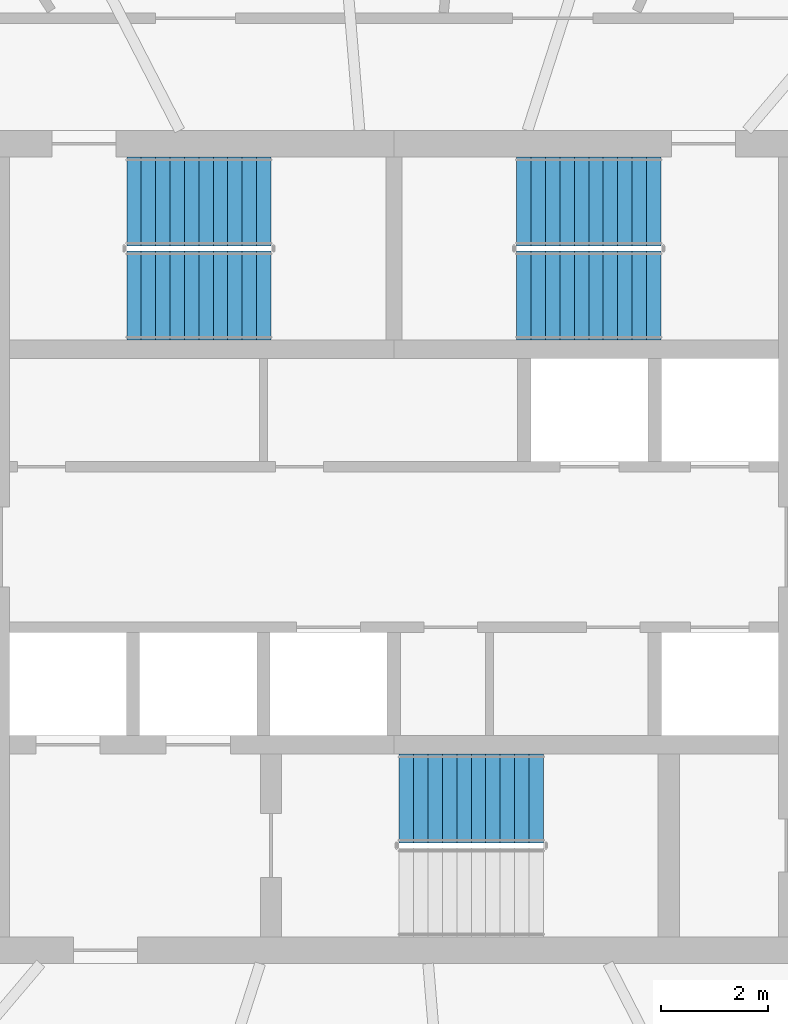
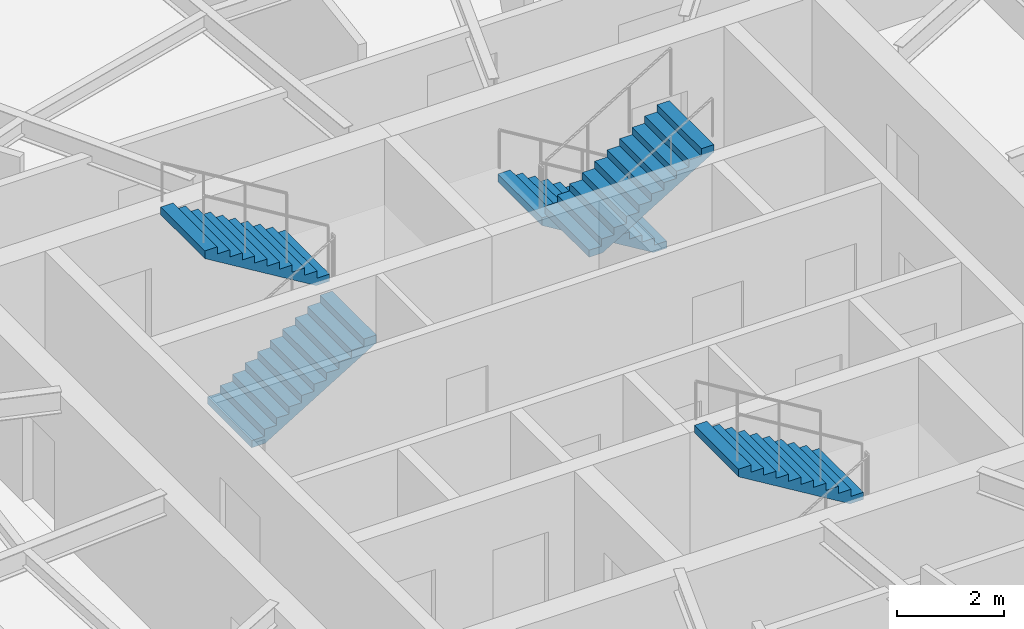
# One storey, part 10 of 13: 5 stair flights, 3 elements without a shape of their own.
"""IFC4 building model written with IfcOpenShell, lengths in metres."""

from ifc_helpers import new_model, si_unit, direction, frame, origin, place, context, subcontext, project, spatial, polyline, outline, extrude, material, type_object, element, aggregate, save


model = new_model("IFC4")

# Units and contexts
model_context = context("Model", 3, precision=1e-05, world=origin(), true_north=direction((0.0, 1.0)))
body_context = subcontext(model_context, "Body", "Model", "MODEL_VIEW")
ifc_project = project(units=[si_unit("LENGTHUNIT", "METRE"), si_unit("AREAUNIT", "SQUARE_METRE"), si_unit("VOLUMEUNIT", "CUBIC_METRE"), si_unit("PLANEANGLEUNIT", "RADIAN"), si_unit("MASSUNIT", "GRAM", prefix="KILO")], contexts=[model_context])

# Site, building, storey
site_placement = place(None, origin())
site = spatial("IfcSite", under=ifc_project, at=site_placement, CompositionType="ELEMENT")
building_placement = place(site_placement, origin())
building = spatial("IfcBuilding", under=site, at=building_placement, Name="Vermilion Reach Broadcast Tower", CompositionType="ELEMENT")
storey_placement = place(building_placement, frame((0.0, 0.0, 272.10009765625)))
storey = spatial("IfcBuildingStorey", under=building, at=storey_placement, Name="L67", CompositionType="ELEMENT", Elevation=272.10009765625)

# Stair, stair flights
ifc_material_1 = material(Name="Concrete C40", Category="concrete")
stair_type = type_object("IfcStairType", Name="Exit stair RC 22 risers 164 mm", PredefinedType="HALF_TURN_STAIR", material=ifc_material_1)
placement = place(storey_placement, origin())
stair_1 = element("IfcStair", 1, at=placement, inside=storey, type_object=stair_type, Name="L67 Exit stair ST1", PredefinedType="HALF_TURN_STAIR")
ifc_material_2 = material(Name="Concrete C40", Category="concrete")
stair_flight_type = type_object("IfcStairFlightType", Name="Exit stair flight RC 11 risers", PredefinedType="STRAIGHT", material=ifc_material_2)
stair_flight_1_placement = place(storey_placement, frame((-11.0, 4.7099609375, 0.0), z_axis=(0.0, 0.0, 1.0), x_axis=(1.0, 0.0, 0.0)))
stair_flight_1 = element("IfcStairFlight", 2, at=stair_flight_1_placement, type_object=stair_flight_type, Name="ST1 flight 1", NumberOfRisers=11, NumberOfTreads=10, PredefinedType="STRAIGHT", RiserHeight=0.163636364, TreadLength=0.27, context=body_context, shape_type="SweptSolid", body=[
    extrude(outline(polyline([(0.0, 0.0), (0.0, 0.16357421875), (0.27001953125, 0.16357421875), (0.27001953125, 0.327392578125), (0.5400390625, 0.327392578125), (0.5400390625, 0.490966796875), (0.81005859375, 0.490966796875), (0.81005859375, 0.654541015625), (1.080078125, 0.654541015625), (1.080078125, 0.818115234375), (1.35009765625, 0.818115234375), (1.35009765625, 0.98193359375), (1.6201171875, 0.98193359375), (1.6201171875, 1.1455078125), (1.889892578125, 1.1455078125), (1.889892578125, 1.30908203125), (2.159912109375, 1.30908203125), (2.159912109375, 1.47265625), (2.429931640625, 1.47265625), (2.429931640625, 1.636474609375), (2.699951171875, 1.636474609375), (2.699951171875, 1.800048828125), (2.699951171875, 1.461181640625), (0.289306640625, 0.0), (0.0, 0.0)])), frame((0.0, 0.830078125, 0.0), z_axis=(0.0, -1.0, 0.0), x_axis=(1.0, 0.0, 0.0)), (0.0, 0.0, 1.0), 1.659912109375),
])
stair_flight_2_placement = place(storey_placement, frame((-8.300048828125, 6.469970703125, 1.7998046875), z_axis=(0.0, 0.0, 1.0), x_axis=(-1.0, 0.0, 0.0)))
stair_flight_2 = element("IfcStairFlight", 3, at=stair_flight_2_placement, type_object=stair_flight_type, Name="ST1 flight 2", NumberOfRisers=11, NumberOfTreads=10, PredefinedType="STRAIGHT", RiserHeight=0.163636364, TreadLength=0.27, context=body_context, shape_type="SweptSolid", body=[
    extrude(outline(polyline([(0.0, 0.0), (0.0, 0.16357421875), (0.27001953125, 0.16357421875), (0.27001953125, 0.327392578125), (0.5400390625, 0.327392578125), (0.5400390625, 0.490966796875), (0.81005859375, 0.490966796875), (0.81005859375, 0.654541015625), (1.080078125, 0.654541015625), (1.080078125, 0.818115234375), (1.35009765625, 0.818115234375), (1.35009765625, 0.98193359375), (1.6201171875, 0.98193359375), (1.6201171875, 1.1455078125), (1.889892578125, 1.1455078125), (1.889892578125, 1.30908203125), (2.159912109375, 1.30908203125), (2.159912109375, 1.47265625), (2.429931640625, 1.47265625), (2.429931640625, 1.636474609375), (2.699951171875, 1.636474609375), (2.699951171875, 1.800048828125), (2.699951171875, 1.461181640625), (0.289306640625, 0.0), (0.0, 0.0)])), frame((0.0, 0.830078125, 0.0), z_axis=(0.0, -1.0, 0.0), x_axis=(1.0, 0.0, 0.0)), (0.0, 0.0, 1.0), 1.659912109375),
])
aggregate(stair_1, [stair_flight_1, stair_flight_2])

stair_2 = element("IfcStair", 4, at=placement, inside=storey, type_object=stair_type, Name="L67 Exit stair ST2", PredefinedType="HALF_TURN_STAIR")
stair_flight_3_placement = place(storey_placement, frame((-1.0, 6.469970703125, 0.0), z_axis=(0.0, 0.0, 1.0), x_axis=(-1.0, 0.0, 0.0)))
stair_flight_3 = element("IfcStairFlight", 5, at=stair_flight_3_placement, type_object=stair_flight_type, Name="ST2 flight 1", NumberOfRisers=11, NumberOfTreads=10, PredefinedType="STRAIGHT", RiserHeight=0.163636364, TreadLength=0.27, context=body_context, shape_type="SweptSolid", body=[
    extrude(outline(polyline([(0.0, 0.0), (0.0, 0.16357421875), (0.27001953125, 0.16357421875), (0.27001953125, 0.327392578125), (0.5400390625, 0.327392578125), (0.5400390625, 0.490966796875), (0.81005859375, 0.490966796875), (0.81005859375, 0.654541015625), (1.080078125, 0.654541015625), (1.080078125, 0.818115234375), (1.35009765625, 0.818115234375), (1.35009765625, 0.98193359375), (1.6201171875, 0.98193359375), (1.6201171875, 1.1455078125), (1.889892578125, 1.1455078125), (1.889892578125, 1.30908203125), (2.159912109375, 1.30908203125), (2.159912109375, 1.47265625), (2.429931640625, 1.47265625), (2.429931640625, 1.636474609375), (2.699951171875, 1.636474609375), (2.699951171875, 1.800048828125), (2.699951171875, 1.461181640625), (0.289306640625, 0.0), (0.0, 0.0)])), frame((0.0, 0.830078125, 0.0), z_axis=(0.0, -1.0, 0.0), x_axis=(1.0, 0.0, 0.0)), (0.0, 0.0, 1.0), 1.659912109375),
])
stair_flight_4_placement = place(storey_placement, frame((-3.699951171875, 4.7099609375, 1.7998046875), z_axis=(0.0, 0.0, 1.0), x_axis=(1.0, 0.0, 0.0)))
stair_flight_4 = element("IfcStairFlight", 6, at=stair_flight_4_placement, type_object=stair_flight_type, Name="ST2 flight 2", NumberOfRisers=11, NumberOfTreads=10, PredefinedType="STRAIGHT", RiserHeight=0.163636364, TreadLength=0.27, context=body_context, shape_type="SweptSolid", body=[
    extrude(outline(polyline([(0.0, 0.0), (0.0, 0.16357421875), (0.27001953125, 0.16357421875), (0.27001953125, 0.327392578125), (0.5400390625, 0.327392578125), (0.5400390625, 0.490966796875), (0.81005859375, 0.490966796875), (0.81005859375, 0.654541015625), (1.080078125, 0.654541015625), (1.080078125, 0.818115234375), (1.35009765625, 0.818115234375), (1.35009765625, 0.98193359375), (1.6201171875, 0.98193359375), (1.6201171875, 1.1455078125), (1.889892578125, 1.1455078125), (1.889892578125, 1.30908203125), (2.159912109375, 1.30908203125), (2.159912109375, 1.47265625), (2.429931640625, 1.47265625), (2.429931640625, 1.636474609375), (2.699951171875, 1.636474609375), (2.699951171875, 1.800048828125), (2.699951171875, 1.461181640625), (0.289306640625, 0.0), (0.0, 0.0)])), frame((0.0, 0.830078125, 0.0), z_axis=(0.0, -1.0, 0.0), x_axis=(1.0, 0.0, 0.0)), (0.0, 0.0, 1.0), 1.659912109375),
])
aggregate(stair_2, [stair_flight_3, stair_flight_4])

# Stair, stair flight
stair_3 = element("IfcStair", 7, at=placement, inside=storey, type_object=stair_type, Name="L67 Exit stair ST3", PredefinedType="HALF_TURN_STAIR")
stair_flight_5_placement = place(storey_placement, frame((-3.199951171875, -4.7099609375, 1.7998046875), z_axis=(0.0, 0.0, 1.0), x_axis=(-1.0, 0.0, 0.0)))
stair_flight_5 = element("IfcStairFlight", 8, at=stair_flight_5_placement, type_object=stair_flight_type, Name="ST3 flight 2", NumberOfRisers=11, NumberOfTreads=10, PredefinedType="STRAIGHT", RiserHeight=0.163636364, TreadLength=0.27, context=body_context, shape_type="SweptSolid", body=[
    extrude(outline(polyline([(0.0, 0.0), (0.0, 0.16357421875), (0.27001953125, 0.16357421875), (0.27001953125, 0.327392578125), (0.5400390625, 0.327392578125), (0.5400390625, 0.490966796875), (0.81005859375, 0.490966796875), (0.81005859375, 0.654541015625), (1.080078125, 0.654541015625), (1.080078125, 0.818115234375), (1.35009765625, 0.818115234375), (1.35009765625, 0.98193359375), (1.6201171875, 0.98193359375), (1.6201171875, 1.1455078125), (1.889892578125, 1.1455078125), (1.889892578125, 1.30908203125), (2.159912109375, 1.30908203125), (2.159912109375, 1.47265625), (2.429931640625, 1.47265625), (2.429931640625, 1.636474609375), (2.699951171875, 1.636474609375), (2.699951171875, 1.800048828125), (2.699951171875, 1.461181640625), (0.289306640625, 0.0), (0.0, 0.0)])), frame((0.0, 0.830078125, 0.0), z_axis=(0.0, -1.0, 0.0), x_axis=(1.0, 0.0, 0.0)), (0.0, 0.0, 1.0), 1.659912109375),
])
aggregate(stair_3, [stair_flight_5])

save(model, "model.ifc")
